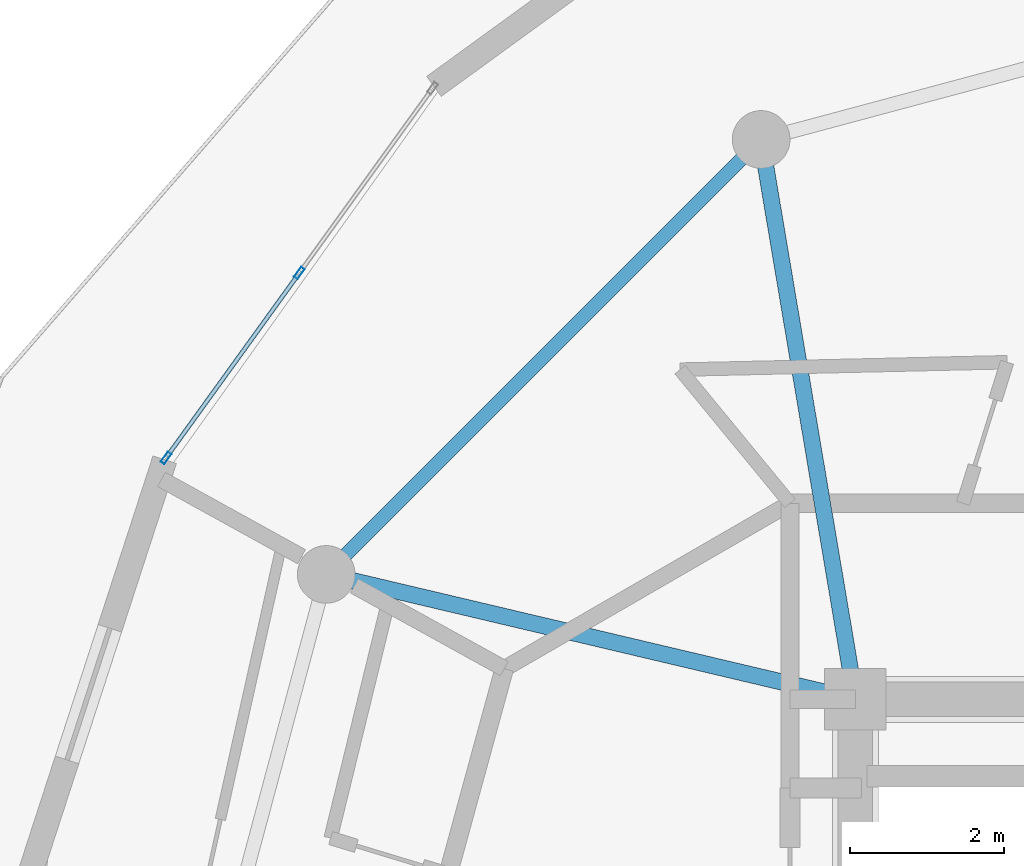
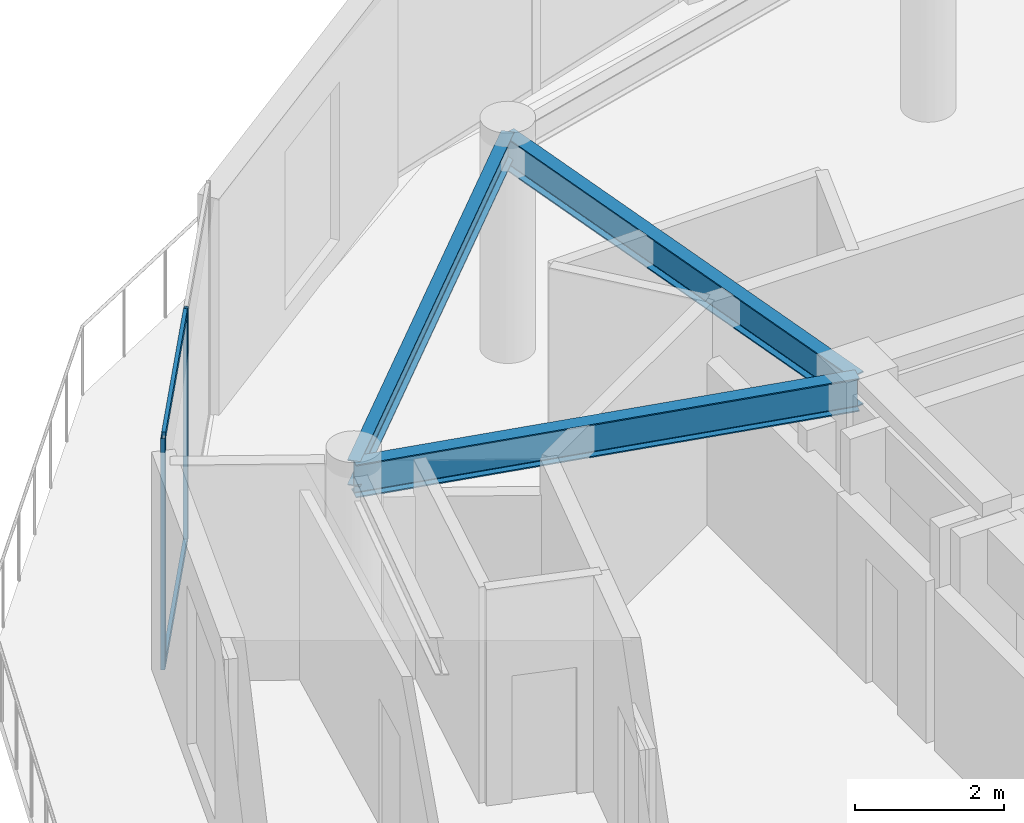
# One storey, part 7 of 19: 4 members, 3 beams, 1 element without a shape of its own.
"""IFC4 building model written with IfcOpenShell, lengths in metres."""

from ifc_helpers import new_model, si_unit, direction, frame, origin, origin_2d, place, context, subcontext, project, spatial, hollow_rectangle, i_section, extrude, source, transform, mapped, material, layer, layer_set, material_profile, profile_set, type_object, element, aggregate, save


model = new_model("IFC4")

# Units and contexts
model_context = context("Model", 3, precision=1e-05, world=origin(), true_north=direction((0.0, 1.0)))
body_context = subcontext(model_context, "Body", "Model", "MODEL_VIEW")
ifc_project = project(units=[si_unit("LENGTHUNIT", "METRE"), si_unit("AREAUNIT", "SQUARE_METRE"), si_unit("VOLUMEUNIT", "CUBIC_METRE"), si_unit("PLANEANGLEUNIT", "RADIAN"), si_unit("MASSUNIT", "GRAM", prefix="KILO")], contexts=[model_context])

# Site, building, storey
site_placement = place(None, origin())
site = spatial("IfcSite", under=ifc_project, at=site_placement, CompositionType="ELEMENT")
building_placement = place(site_placement, origin())
building = spatial("IfcBuilding", under=site, at=building_placement, Name="Solvirekh Grand Hotel", CompositionType="ELEMENT")
storey_placement = place(building_placement, frame((0.0, 0.0, 254.39990234375)))
storey = spatial("IfcBuildingStorey", under=building, at=storey_placement, Name="L66", CompositionType="ELEMENT", Elevation=254.39990234375)

# Beams
ifc_material_1 = material(Name="Steel S355", Category="steel")
ifc_material_profile_1 = material_profile(ifc_material_1, i_section(OverallWidth=0.2119140625, OverallDepth=0.5439453125, WebThickness=0.011962890625, FlangeThickness=0.01904296875, FilletRadius=0.013916015625, at=origin_2d()), Name="W530X123")
ifc_profile_set_1 = profile_set([ifc_material_profile_1], Name="Steel S355")
beam_type_1 = type_object("IfcBeamType", Name="Beam_Radial_W530H", PredefinedType="BEAM", material=ifc_profile_set_1)
beam_1_placement = place(storey_placement, frame((-6.5, 6.10009765625, 3.298095703125), z_axis=(-0.165954049106, 0.986133486697, 0.0), x_axis=(-0.986133486697, -0.165954049106, 0.0)))
element("IfcBeam", 1, at=beam_1_placement, inside=storey, type_object=beam_type_1, Name="L66 radial floor beam R05", PredefinedType="BEAM", context=body_context, shape_type="SweptSolid", body=[
    extrude(i_section(OverallWidth=0.2119140625, OverallDepth=0.5439453125, WebThickness=0.011962890625, FlangeThickness=0.01904296875, FilletRadius=0.013916015625, at=origin_2d()), origin(), (0.0, 0.0, 1.0), 7.382080078125),
])
beam_2_placement = place(storey_placement, frame((-6.5, 6.10009765625, 3.298095703125), z_axis=(-0.973221147544, 0.229870828888, 0.0), x_axis=(-0.229870828888, -0.973221147544, 0.0)))
element("IfcBeam", 2, at=beam_2_placement, inside=storey, type_object=beam_type_1, Name="L66 radial floor beam R06", PredefinedType="BEAM", context=body_context, shape_type="SweptSolid", body=[
    extrude(i_section(OverallWidth=0.2119140625, OverallDepth=0.5439453125, WebThickness=0.011962890625, FlangeThickness=0.01904296875, FilletRadius=0.013916015625, at=origin_2d()), origin(), (0.0, 0.0, 1.0), 7.069091796875),
])
ifc_material_profile_2 = material_profile(ifc_material_1, i_section(OverallWidth=0.180908203125, OverallDepth=0.4169921875, WebThickness=0.010009765625, FlangeThickness=0.01611328125, FilletRadius=0.011962890625, at=origin_2d()), Name="W410X85")
ifc_profile_set_2 = profile_set([ifc_material_profile_2], Name="Steel S355")
beam_type_2 = type_object("IfcBeamType", Name="Spandrel_Ring_W410", PredefinedType="SPANDREL", material=ifc_profile_set_2)
beam_3_placement = place(storey_placement, frame((-7.72509765625, 13.3798828125, 3.362060546875), z_axis=(-0.707106781187, -0.707106781187, 0.0), x_axis=(0.707106781187, -0.707106781187, 0.0)))
element("IfcBeam", 3, at=beam_3_placement, inside=storey, type_object=beam_type_2, Name="L66 perimeter spandrel beam 5", PredefinedType="SPANDREL", context=body_context, shape_type="SweptSolid", body=[
    extrude(i_section(OverallWidth=0.180908203125, OverallDepth=0.4169921875, WebThickness=0.010009765625, FlangeThickness=0.01611328125, FilletRadius=0.011962890625, at=origin_2d()), origin(), (0.0, 0.0, 1.0), 7.9970703125),
])

# Curtain wall, members
ifc_material_2 = material(Name="Anodized Bronze Aluminium 6063-T6", Category="aluminium")
ifc_layer = layer(ifc_material_2, 0.159912109375)
ifc_layer_set = layer_set([ifc_layer], Name="Anodized Bronze Aluminium 6063-T6")
curtain_wall_type = type_object("IfcCurtainWallType", Name="CW_Sys4_HighZoneFlushBronzeCW", PredefinedType="NOTDEFINED", material=ifc_layer_set)
curtain_wall_placement = place(storey_placement, origin())
curtain_wall = element("IfcCurtainWall", 4, at=curtain_wall_placement, inside=storey, type_object=curtain_wall_type, Name="L66 unitised bronze-glass curtain wall CW-L66-C13", PredefinedType="NOTDEFINED")
ifc_material_profile_3 = material_profile(ifc_material_2, hollow_rectangle(XDim=0.06005859375, YDim=0.159912109375, WallThickness=0.0048828125, at=origin_2d()), Name="ALU RHS 160X60X5")
ifc_profile_set_3 = profile_set([ifc_material_profile_3], Name="Anodized Bronze Aluminium 6063-T6")
member_type_1 = type_object("IfcMemberType", Name="CWMullion_Sys4", PredefinedType="MULLION", material=ifc_profile_set_3)
shared_shape_1 = source(origin(), body_context, "Body", "SweptSolid", [
    extrude(hollow_rectangle(XDim=0.06005859375, YDim=0.159912109375, WallThickness=0.0048828125, at=origin_2d()), origin(), (0.0, 0.0, 1.0), 3.800048828125),
])
member_1_placement = place(storey_placement, frame((-13.7294921875, 11.64306640625, 0.0), z_axis=(0.0, 0.0, 1.0), x_axis=(0.811049169877, -0.584977985947, 0.0)))
member_1 = element("IfcMember", 5, at=member_1_placement, type_object=member_type_1, Name="U04 mullion 2", PredefinedType="MULLION", context=body_context, shape_type="MappedRepresentation", body=[
    mapped(shared_shape_1, transform((0.0, 0.0, 0.0), x_axis=(1.0, 0.0, 0.0), y_axis=(0.0, 1.0, 0.0), z_axis=(0.0, 0.0, 1.0), scale=1.0)),
])
member_2_placement = place(storey_placement, frame((-15.46240234375, 9.240234375, 0.0), z_axis=(0.0, 0.0, 1.0), x_axis=(0.811049169877, -0.584977985947, 0.0)))
member_2 = element("IfcMember", 6, at=member_2_placement, type_object=member_type_1, Name="U04 mullion 3", PredefinedType="MULLION", context=body_context, shape_type="MappedRepresentation", body=[
    mapped(shared_shape_1, transform((0.0, 0.0, 0.0), x_axis=(1.0, 0.0, 0.0), y_axis=(0.0, 1.0, 0.0), z_axis=(0.0, 0.0, 1.0), scale=1.0)),
])
ifc_material_profile_4 = material_profile(ifc_material_2, hollow_rectangle(XDim=0.054931640625, YDim=0.1201171875, WallThickness=0.00390625, at=origin_2d()), Name="ALU RHS 120X55X4")
ifc_profile_set_4 = profile_set([ifc_material_profile_4], Name="Anodized Bronze Aluminium 6063-T6")
member_type_2 = type_object("IfcMemberType", Name="CWTransom_Sys4", PredefinedType="USERDEFINED", material=ifc_profile_set_4)
shared_shape_2 = source(origin(), body_context, "Body", "SweptSolid", [
    extrude(hollow_rectangle(XDim=0.054931640625, YDim=0.1201171875, WallThickness=0.00390625, at=origin_2d()), origin(), (0.0, 0.0, 1.0), 2.90234375),
])
member_3_placement = place(storey_placement, frame((-13.7470703125, 11.61865234375, 0.027587890625), z_axis=(-0.584956030424, -0.811065005083, 0.0), x_axis=(0.811065005083, -0.584956030424, 0.0)))
member_3 = element("IfcMember", 7, at=member_3_placement, type_object=member_type_2, Name="U04 transom 2.1", ObjectType="TRANSOM", PredefinedType="USERDEFINED", context=body_context, shape_type="MappedRepresentation", body=[
    mapped(shared_shape_2, transform((0.0, 0.0, 0.0), x_axis=(1.0, 0.0, 0.0), y_axis=(0.0, 1.0, 0.0), z_axis=(0.0, 0.0, 1.0), scale=1.0)),
])
member_4_placement = place(storey_placement, frame((-13.7470703125, 11.61865234375, 3.772705078125), z_axis=(-0.584956030424, -0.811065005083, 0.0), x_axis=(0.811065005083, -0.584956030424, 0.0)))
member_4 = element("IfcMember", 8, at=member_4_placement, type_object=member_type_2, Name="U04 transom 2.2", ObjectType="TRANSOM", PredefinedType="USERDEFINED", context=body_context, shape_type="MappedRepresentation", body=[
    mapped(shared_shape_2, transform((0.0, 0.0, 0.0), x_axis=(1.0, 0.0, 0.0), y_axis=(0.0, 1.0, 0.0), z_axis=(0.0, 0.0, 1.0), scale=1.0)),
])
aggregate(curtain_wall, [member_1, member_2, member_3, member_4])

save(model, "model.ifc")
